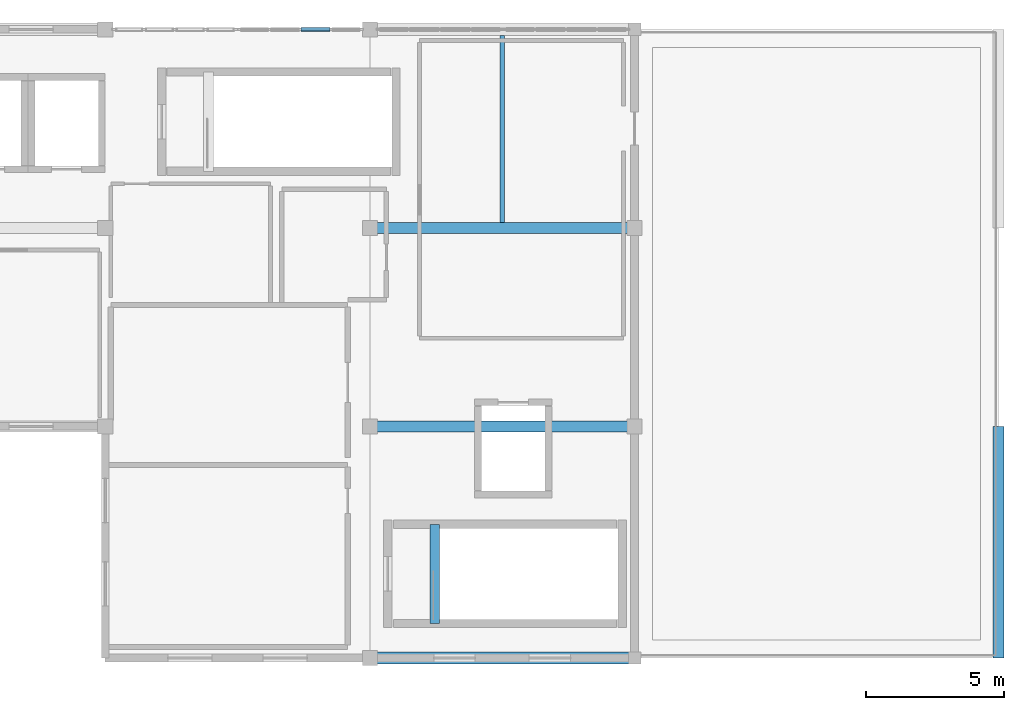
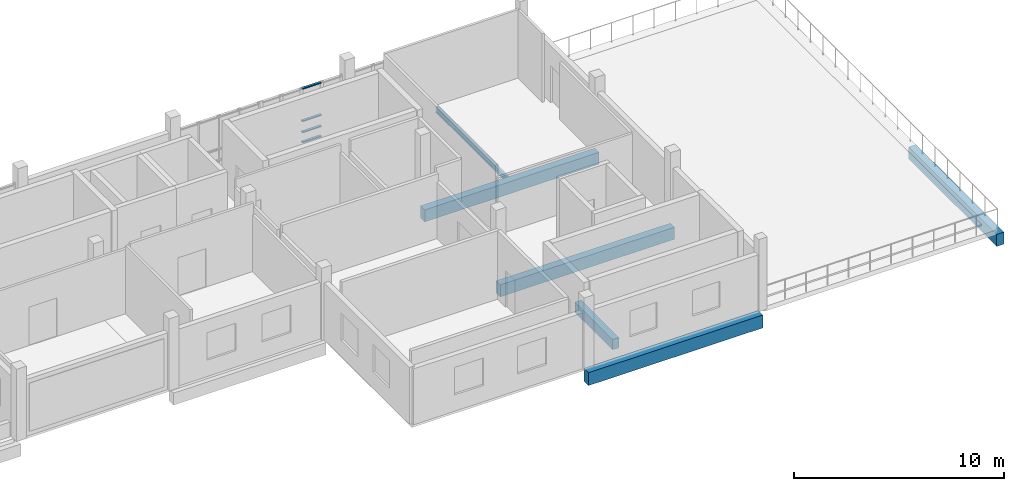
# One storey, part 5 of 11: 6 beams, 4 members, 1 element without a shape of its own.
"""IFC4 building model written with IfcOpenShell, lengths in metres."""

from ifc_helpers import new_model, si_unit, direction, frame, origin, origin_2d, place, context, subcontext, project, spatial, rectangle, hollow_rectangle, i_section, extrude, material, layer, layer_set, material_profile, profile_set, type_object, element, aggregate, save


model = new_model("IFC4")

# Units and contexts
model_context = context("Model", 3, precision=1e-05, world=origin(), true_north=direction((0.0, 1.0)))
body_context = subcontext(model_context, "Body", "Model", "MODEL_VIEW")
ifc_project = project(units=[si_unit("LENGTHUNIT", "METRE"), si_unit("AREAUNIT", "SQUARE_METRE"), si_unit("VOLUMEUNIT", "CUBIC_METRE"), si_unit("PLANEANGLEUNIT", "RADIAN"), si_unit("MASSUNIT", "GRAM", prefix="KILO")], contexts=[model_context])

# Site, building, storey
site_placement = place(None, origin())
site = spatial("IfcSite", under=ifc_project, at=site_placement, CompositionType="ELEMENT")
building_placement = place(site_placement, origin())
building = spatial("IfcBuilding", under=site, at=building_placement, Name="Kisaragi Civic Commons", CompositionType="ELEMENT")
storey_placement = place(building_placement, frame((0.0, 0.0, 17.39990234375)))
storey = spatial("IfcBuildingStorey", under=building, at=storey_placement, Name="L04", CompositionType="ELEMENT", Elevation=17.39990234375)

# Curtain wall, members
ifc_material_1 = material(Name="Thermally broken anodized aluminium and low-E double glazing", Category="aluminium")
ifc_layer = layer(ifc_material_1, 0.179931640625, Name="Thermally broken anodized aluminium and low-E double glazing", Category="aluminium")
ifc_layer_set = layer_set([ifc_layer], Name="Thermally broken anodized aluminium and low-E double glazing")
curtain_wall_type = type_object("IfcCurtainWallType", Name="CW-01", PredefinedType="NOTDEFINED", material=ifc_layer_set)
curtain_wall_placement = place(storey_placement, origin())
curtain_wall = element("IfcCurtainWall", 1, at=curtain_wall_placement, inside=storey, type_object=curtain_wall_type, Name="L04 curtain wall CW-01 CW-V4-L04-114", PredefinedType="NOTDEFINED")
ifc_material_profile_1 = material_profile(ifc_material_1, hollow_rectangle(XDim=0.139892578125, YDim=0.06494140625, WallThickness=0.00439453125, InnerFilletRadius=0.00439453125, OuterFilletRadius=0.009033203125, at=origin_2d()), Name="CWT-65x140x4.5", Category="aluminium")
ifc_profile_set_1 = profile_set([ifc_material_profile_1], Name="Thermally broken anodized aluminium and low-E double glazing")
member_type = type_object("IfcMemberType", Name="CWT-02", PredefinedType="USERDEFINED", material=ifc_profile_set_1)
member_1_placement = place(storey_placement, frame((121.107421875, 118.800048828125, 0.070068359375), z_axis=(1.0, 0.0, 0.0), x_axis=(0.0, 1.0, 0.0)))
member_1 = element("IfcMember", 2, at=member_1_placement, type_object=member_type, Name="CW-01 transom 3.1", ObjectType="TRANSOM", PredefinedType="USERDEFINED", context=body_context, shape_type="SweptSolid", body=[
    extrude(hollow_rectangle(XDim=0.139892578125, YDim=0.06494140625, WallThickness=0.00439453125, InnerFilletRadius=0.00439453125, OuterFilletRadius=0.009033203125, at=origin_2d()), origin(), (0.0, 0.0, 1.0), 1.052490234375),
])
member_2_placement = place(storey_placement, frame((121.107421875, 118.800048828125, 0.650146484375), z_axis=(1.0, 0.0, 0.0), x_axis=(0.0, 1.0, 0.0)))
member_2 = element("IfcMember", 3, at=member_2_placement, type_object=member_type, Name="CW-01 transom 3.2", ObjectType="TRANSOM", PredefinedType="USERDEFINED", context=body_context, shape_type="SweptSolid", body=[
    extrude(hollow_rectangle(XDim=0.139892578125, YDim=0.06494140625, WallThickness=0.00439453125, InnerFilletRadius=0.00439453125, OuterFilletRadius=0.009033203125, at=origin_2d()), origin(), (0.0, 0.0, 1.0), 1.052490234375),
])
member_3_placement = place(storey_placement, frame((121.107421875, 118.800048828125, 1.300048828125), z_axis=(1.0, 0.0, 0.0), x_axis=(0.0, 1.0, 0.0)))
member_3 = element("IfcMember", 4, at=member_3_placement, type_object=member_type, Name="CW-01 transom 3.3", ObjectType="TRANSOM", PredefinedType="USERDEFINED", context=body_context, shape_type="SweptSolid", body=[
    extrude(hollow_rectangle(XDim=0.139892578125, YDim=0.06494140625, WallThickness=0.00439453125, InnerFilletRadius=0.00439453125, OuterFilletRadius=0.009033203125, at=origin_2d()), origin(), (0.0, 0.0, 1.0), 1.052490234375),
])
member_4_placement = place(storey_placement, frame((121.107421875, 118.800048828125, 3.18505859375), z_axis=(1.0, 0.0, 0.0), x_axis=(0.0, 1.0, 0.0)))
member_4 = element("IfcMember", 5, at=member_4_placement, type_object=member_type, Name="CW-01 transom 3.4", ObjectType="TRANSOM", PredefinedType="USERDEFINED", context=body_context, shape_type="SweptSolid", body=[
    extrude(hollow_rectangle(XDim=0.139892578125, YDim=0.06494140625, WallThickness=0.00439453125, InnerFilletRadius=0.00439453125, OuterFilletRadius=0.009033203125, at=origin_2d()), origin(), (0.0, 0.0, 1.0), 1.052490234375),
])
aggregate(curtain_wall, [member_1, member_2, member_3, member_4])

# Beams
ifc_material_2 = material(Name="Concrete Fc30", Category="concrete")
ifc_material_profile_2 = material_profile(ifc_material_2, rectangle(XDim=0.35009765625, YDim=0.60009765625, at=origin_2d()), Name="RC-350x600", Category="concrete")
ifc_profile_set_2 = profile_set([ifc_material_profile_2], Name="Concrete Fc30")
beam_type_1 = type_object("IfcBeamType", Name="G-14", PredefinedType="BEAM", material=ifc_profile_set_2)
beam_1_placement = place(storey_placement, frame((125.949951171875, 97.25, -0.2998046875), z_axis=(0.0, 1.0, 0.0), x_axis=(-1.0, 0.0, 0.0)))
element("IfcBeam", 6, at=beam_1_placement, inside=storey, type_object=beam_type_1, Name="ST-L3 L04 stair landing trimmer beam", PredefinedType="BEAM", context=body_context, shape_type="SweptSolid", body=[
    extrude(rectangle(XDim=0.35009765625, YDim=0.60009765625, at=origin_2d()), origin(), (0.0, 0.0, 1.0), 3.60009765625),
])
ifc_material_profile_3 = material_profile(ifc_material_2, rectangle(XDim=0.39990234375, YDim=0.699951171875, at=origin_2d()), Name="RC-400x700", Category="concrete")
ifc_profile_set_3 = profile_set([ifc_material_profile_3], Name="Concrete Fc30")
beam_type_2 = type_object("IfcBeamType", Name="G-16", PredefinedType="BEAM", material=ifc_profile_set_3)
for number, where, z_axis, x_axis, name in (
    (7, (123.60009765625, 104.39990234375, -0.619873046875), (1.0, 0.0, 0.0), (0.0, 1.0, 0.0), "L04 girder G-16 339"),
    (8, (123.60009765625, 111.60009765625, -0.619873046875), (1.0, 0.0, 0.0), (0.0, 1.0, 0.0), "L04 girder G-16 342"),
):
    element("IfcBeam", number, at=place(storey_placement, frame(where, z_axis=z_axis, x_axis=x_axis)), inside=storey, type_object=beam_type_2, Name=name, PredefinedType="BEAM", context=body_context, shape_type="SweptSolid", body=[
        extrude(rectangle(XDim=0.39990234375, YDim=0.699951171875, at=origin_2d()), origin(), (0.0, 0.0, 1.0), 9.599853515625),
    ])
beam_2_placement = place(storey_placement, frame((146.39990234375, 96.0, -0.619873046875), z_axis=(0.0, 1.0, 0.0), x_axis=(-1.0, 0.0, 0.0)))
element("IfcBeam", 9, at=beam_2_placement, inside=storey, type_object=beam_type_2, Name="L04 girder G-16 346", PredefinedType="BEAM", context=body_context, shape_type="SweptSolid", body=[
    extrude(rectangle(XDim=0.39990234375, YDim=0.699951171875, at=origin_2d()), origin(), (0.0, 0.0, 1.0), 8.39990234375),
])
ifc_material_3 = material(Name="Steel SN400 (SN400B)", Category="steel")
ifc_material_profile_4 = material_profile(ifc_material_3, i_section(OverallWidth=0.14990234375, OverallDepth=0.300048828125, WebThickness=0.006591796875, FlangeThickness=0.009033203125, FilletRadius=0.012939453125, at=origin_2d()), Name="H-300x150x6.5x9", Category="steel")
ifc_profile_set_4 = profile_set([ifc_material_profile_4], Name="Steel SN400 (SN400B)")
beam_type_3 = type_object("IfcBeamType", Name="J-03", PredefinedType="JOIST", material=ifc_profile_set_4)
beam_3_placement = place(storey_placement, frame((128.39990234375, 111.800048828125, -0.419921875), z_axis=(0.0, 1.0, 0.0), x_axis=(-1.0, 0.0, 0.0)))
element("IfcBeam", 10, at=beam_3_placement, inside=storey, type_object=beam_type_3, Name="L04 secondary steel joist J-03 83", PredefinedType="JOIST", context=body_context, shape_type="SweptSolid", body=[
    extrude(i_section(OverallWidth=0.14990234375, OverallDepth=0.300048828125, WebThickness=0.006591796875, FlangeThickness=0.009033203125, FilletRadius=0.012939453125, at=origin_2d()), origin(), (0.0, 0.0, 1.0), 6.77490234375),
])
ifc_material_profile_5 = material_profile(ifc_material_2, rectangle(XDim=0.449951171875, YDim=0.75, at=origin_2d()), Name="RC-450x750", Category="concrete")
ifc_profile_set_5 = profile_set([ifc_material_profile_5], Name="Concrete Fc30")
beam_type_4 = type_object("IfcBeamType", Name="SPB-04", PredefinedType="SPANDREL", material=ifc_profile_set_5)
beam_4_placement = place(storey_placement, frame((123.60009765625, 96.0, -0.64501953125), z_axis=(1.0, 0.0, 0.0), x_axis=(0.0, 1.0, 0.0)))
element("IfcBeam", 11, at=beam_4_placement, inside=storey, type_object=beam_type_4, Name="L04 girder SPB-04 336", PredefinedType="SPANDREL", context=body_context, shape_type="SweptSolid", body=[
    extrude(rectangle(XDim=0.449951171875, YDim=0.75, at=origin_2d()), origin(), (0.0, 0.0, 1.0), 9.599853515625),
])

save(model, "model.ifc")
